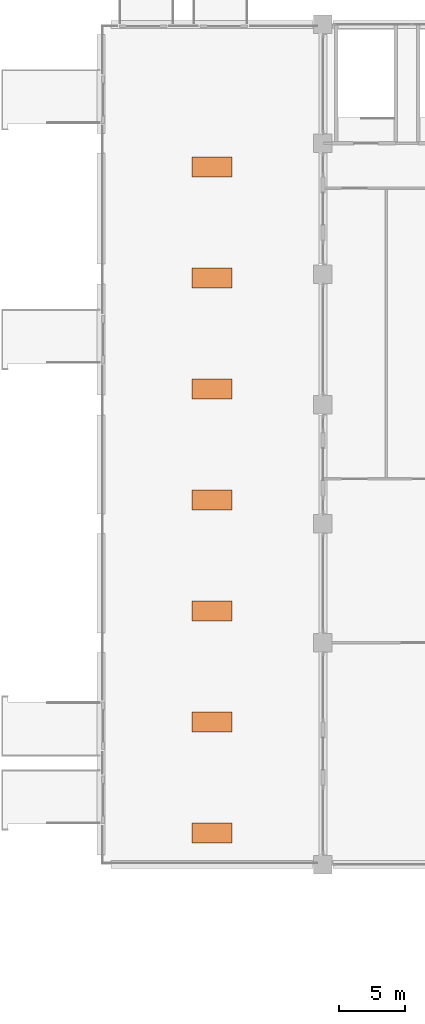
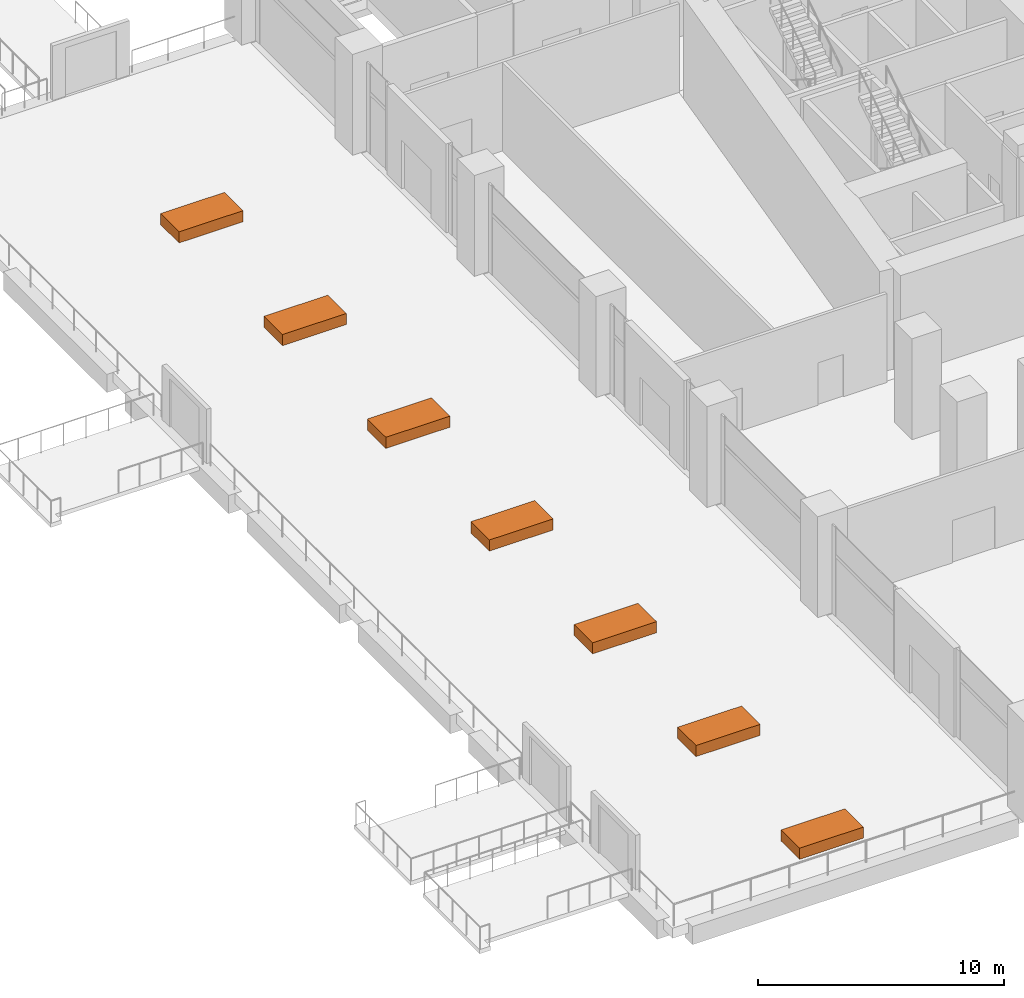
# One storey, part 33 of 33: 7 proxies.
"""IFC4 building model written with IfcOpenShell, lengths in metres."""

from ifc_helpers import new_model, si_unit, direction, frame, origin, origin_2d, place, context, subcontext, project, spatial, rectangle, extrude, element, save


model = new_model("IFC4")

# Units and contexts
model_context = context("Model", 3, precision=1e-05, world=origin(), true_north=direction((0.0, 1.0)))
body_context = subcontext(model_context, "Body", "Model", "MODEL_VIEW")
ifc_project = project(units=[si_unit("LENGTHUNIT", "METRE"), si_unit("AREAUNIT", "SQUARE_METRE"), si_unit("VOLUMEUNIT", "CUBIC_METRE"), si_unit("PLANEANGLEUNIT", "RADIAN"), si_unit("MASSUNIT", "GRAM", prefix="KILO")], contexts=[model_context])

# Site, building, storey
site_placement = place(None, origin())
site = spatial("IfcSite", under=ifc_project, at=site_placement, CompositionType="ELEMENT")
building_placement = place(site_placement, origin())
building = spatial("IfcBuilding", under=site, at=building_placement, Name="Candeia Pilgrim Tower and Theatre", CompositionType="ELEMENT")
storey_placement = place(building_placement, frame((0.0, 0.0, 29.0)))
storey = spatial("IfcBuildingStorey", under=building, at=storey_placement, Name="L04", CompositionType="ELEMENT", Elevation=29.0)

# Proxies
for number, where, z_axis, x_axis, name in (
    (1, (67.199951171875, 83.60009765625, 0.0), (0.0, 0.0, 1.0), (1.0, 0.0, 0.0), "Planter"),
    (2, (67.199951171875, 92.0, 0.0), (0.0, 0.0, 1.0), (1.0, 0.0, 0.0), "Planter"),
    (3, (67.199951171875, 100.39990234375, 0.0), (0.0, 0.0, 1.0), (1.0, 0.0, 0.0), "Planter"),
    (4, (67.199951171875, 108.800048828125, 0.0), (0.0, 0.0, 1.0), (1.0, 0.0, 0.0), "Planter"),
    (5, (67.199951171875, 117.199951171875, 0.0), (0.0, 0.0, 1.0), (1.0, 0.0, 0.0), "Planter"),
    (6, (67.199951171875, 125.60009765625, 0.0), (0.0, 0.0, 1.0), (1.0, 0.0, 0.0), "Planter"),
    (7, (67.199951171875, 134.0, 0.0), (0.0, 0.0, 1.0), (1.0, 0.0, 0.0), "Planter"),
):
    element("IfcBuildingElementProxy", number, at=place(storey_placement, frame(where, z_axis=z_axis, x_axis=x_axis)), inside=storey, Name=name, ObjectType="PLANTER", PredefinedType="USERDEFINED", context=body_context, shape_type="SweptSolid", body=[
        extrude(rectangle(XDim=3.0, YDim=1.5, at=origin_2d()), origin(), (0.0, 0.0, 1.0), 0.550048828125),
    ])

save(model, "model.ifc")
